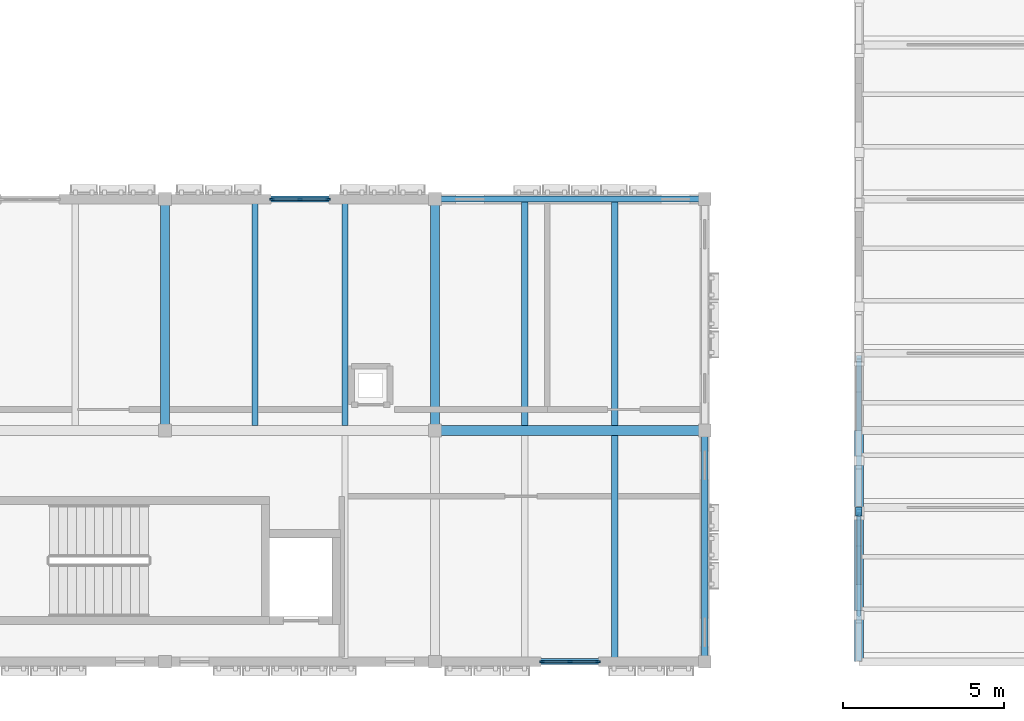
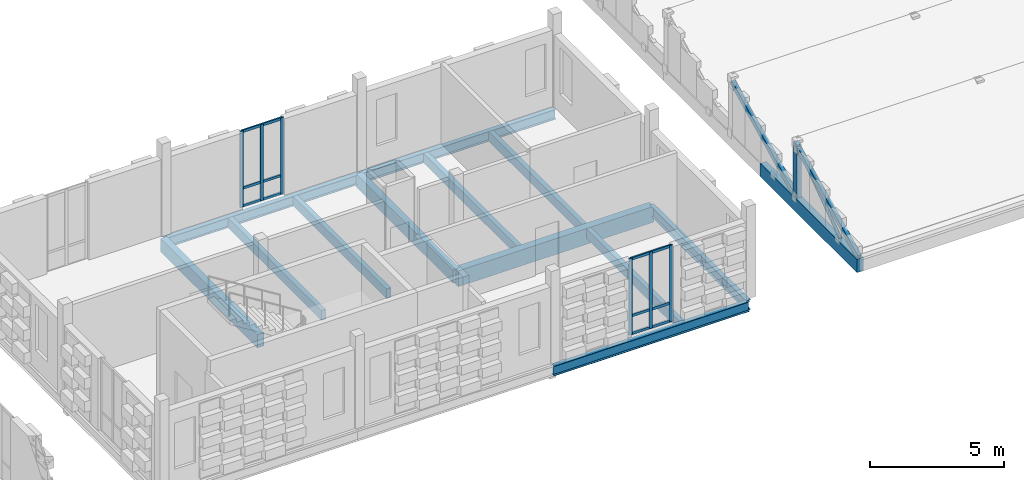
# One storey, part 16 of 81: 16 members, 13 beams, 2 elements without a shape of their own.
"""IFC4 building model written with IfcOpenShell, lengths in metres."""

from ifc_helpers import new_model, si_unit, direction, frame, origin, origin_2d, place, context, subcontext, project, spatial, rectangle, hollow_circle, i_section, extrude, material, material_profile, profile_set, type_object, element, aggregate, save


model = new_model("IFC4")

# Units and contexts
model_context = context("Model", 3, precision=1e-05, world=origin(), true_north=direction((0.0, 1.0)))
body_context = subcontext(model_context, "Body", "Model", "MODEL_VIEW")
ifc_project = project(units=[si_unit("LENGTHUNIT", "METRE"), si_unit("AREAUNIT", "SQUARE_METRE"), si_unit("VOLUMEUNIT", "CUBIC_METRE"), si_unit("PLANEANGLEUNIT", "RADIAN"), si_unit("MASSUNIT", "GRAM", prefix="KILO")], contexts=[model_context])

# Site, building, storey
site_placement = place(None, origin())
site = spatial("IfcSite", under=ifc_project, at=site_placement, CompositionType="ELEMENT")
building_placement = place(site_placement, origin())
building = spatial("IfcBuilding", under=site, at=building_placement, Name="Kahlenmark Community Centre", CompositionType="ELEMENT")
storey_placement = place(building_placement, frame((0.0, 0.0, 9.60009765625)))
storey = spatial("IfcBuildingStorey", under=building, at=storey_placement, Name="L02", CompositionType="ELEMENT", Elevation=9.60009765625)

# Beams
ifc_material_1 = material(Name="Glulam GL32h", Category="wood")
ifc_material_profile_1 = material_profile(ifc_material_1, rectangle(XDim=0.280029296875, YDim=0.60009765625, at=origin_2d()), Name="GL32h 280x600")
ifc_profile_set_1 = profile_set([ifc_material_profile_1], Name="Glulam GL32h")
beam_type_1 = type_object("IfcBeamType", Name="BT-BEAM-GL32h280x600", PredefinedType="BEAM", material=ifc_profile_set_1)
for number, where, z_axis, x_axis, name in (
    (1, (100.0, 16.0, -0.52001953125), (0.0, 1.0, 0.0), (-1.0, 0.0, 0.0), "L02 beam BG-GL32h280x600"),
    (2, (108.39990234375, 16.0, -0.52001953125), (0.0, 1.0, 0.0), (-1.0, 0.0, 0.0), "L02 beam BG-GL32h280x600"),
    (3, (121.60009765625, 8.800048828125, -0.300048828125), (0.0, 1.0, 0.0), (-1.0, 0.0, 0.0), "L02 beam BG-SAW600"),
):
    element("IfcBeam", number, at=place(storey_placement, frame(where, z_axis=z_axis, x_axis=x_axis)), inside=storey, type_object=beam_type_1, Name=name, PredefinedType="BEAM", context=body_context, shape_type="SweptSolid", body=[
        extrude(rectangle(XDim=0.280029296875, YDim=0.60009765625, at=origin_2d()), origin(), (0.0, 0.0, 1.0), 7.199951171875),
    ])
ifc_material_profile_2 = material_profile(ifc_material_1, rectangle(XDim=0.320068359375, YDim=0.719970703125, at=origin_2d()), Name="GL32h 320x720")
ifc_profile_set_2 = profile_set([ifc_material_profile_2], Name="Glulam GL32h")
beam_type_2 = type_object("IfcBeamType", Name="BT-BEAM-GL32h320x720", PredefinedType="BEAM", material=ifc_profile_set_2)
beam_1_placement = place(storey_placement, frame((108.39990234375, 16.0, -0.580078125), z_axis=(1.0, 0.0, 0.0), x_axis=(0.0, 1.0, 0.0)))
element("IfcBeam", 4, at=beam_1_placement, inside=storey, type_object=beam_type_2, Name="L02 beam BG-GL32h320x720", PredefinedType="BEAM", context=body_context, shape_type="SweptSolid", body=[
    extrude(rectangle(XDim=0.320068359375, YDim=0.719970703125, at=origin_2d()), origin(), (0.0, 0.0, 1.0), 8.400146484375),
])
ifc_material_2 = material(Name="Glulam GL28h", Category="wood")
ifc_material_profile_3 = material_profile(ifc_material_2, rectangle(XDim=0.199951171875, YDim=0.43994140625, at=origin_2d()), Name="GL28h 200x440")
ifc_profile_set_3 = profile_set([ifc_material_profile_3], Name="Glulam GL28h")
beam_type_3 = type_object("IfcBeamType", Name="BT-JOIST-GL28h200x440", PredefinedType="JOIST", material=ifc_profile_set_3)
for number, where, z_axis, x_axis, name in (
    (5, (102.800048828125, 16.157958984375, -0.440185546875), (0.0, 1.0, 0.0), (-1.0, 0.0, 0.0), "L02 joist BJ-GL28h200x440"),
    (6, (105.60009765625, 16.157958984375, -0.440185546875), (0.0, 1.0, 0.0), (-1.0, 0.0, 0.0), "L02 joist BJ-GL28h200x440"),
    (7, (114.0, 8.89306640625, -0.440185546875), (0.0, 1.0, 0.0), (-1.0, 0.0, 0.0), "L02 joist BJ-GL28h200x440"),
    (8, (111.199951171875, 16.157958984375, -0.440185546875), (0.0, 1.0, 0.0), (-1.0, 0.0, 0.0), "L02 joist BJ-GL28h200x440"),
    (9, (114.0, 16.157958984375, -0.440185546875), (0.0, 1.0, 0.0), (-1.0, 0.0, 0.0), "L02 joist BJ-GL28h200x440"),
):
    element("IfcBeam", number, at=place(storey_placement, frame(where, z_axis=z_axis, x_axis=x_axis)), inside=storey, type_object=beam_type_3, Name=name, PredefinedType="JOIST", context=body_context, shape_type="SweptSolid", body=[
        extrude(rectangle(XDim=0.199951171875, YDim=0.43994140625, at=origin_2d()), origin(), (0.0, 0.0, 1.0), 6.948974609375),
    ])
ifc_material_3 = material(Name="Steel S355", Category="steel")
ifc_material_profile_4 = material_profile(ifc_material_3, i_section(OverallWidth=0.18994140625, OverallDepth=0.449951171875, WebThickness=0.009521484375, FlangeThickness=0.0146484375, at=origin_2d()), Name="IPE 450")
ifc_profile_set_4 = profile_set([ifc_material_profile_4], Name="Steel S355")
beam_type_4 = type_object("IfcBeamType", Name="BT-SPANDREL-IPE450", PredefinedType="SPANDREL", material=ifc_profile_set_4)
beam_2_placement = place(storey_placement, frame((108.39990234375, 8.800048828125, -0.445068359375), z_axis=(1.0, 0.0, 0.0), x_axis=(0.0, 1.0, 0.0)))
element("IfcBeam", 10, at=beam_2_placement, inside=storey, type_object=beam_type_4, Name="L02 spandrel SP-IPE450", PredefinedType="SPANDREL", context=body_context, shape_type="SweptSolid", body=[
    extrude(i_section(OverallWidth=0.18994140625, OverallDepth=0.449951171875, WebThickness=0.009521484375, FlangeThickness=0.0146484375, at=origin_2d()), origin(), (0.0, 0.0, 1.0), 8.400146484375),
])
beam_3_placement = place(storey_placement, frame((100.0, 23.199951171875, -0.445068359375), z_axis=(1.0, 0.0, 0.0), x_axis=(0.0, 1.0, 0.0)))
element("IfcBeam", 11, at=beam_3_placement, inside=storey, type_object=beam_type_4, Name="L02 spandrel SP-IPE450", PredefinedType="SPANDREL", context=body_context, shape_type="SweptSolid", body=[
    extrude(i_section(OverallWidth=0.18994140625, OverallDepth=0.449951171875, WebThickness=0.009521484375, FlangeThickness=0.0146484375, at=origin_2d()), origin(), (0.0, 0.0, 1.0), 8.39990234375),
])
beam_4_placement = place(storey_placement, frame((108.39990234375, 23.199951171875, -0.445068359375), z_axis=(1.0, 0.0, 0.0), x_axis=(0.0, 1.0, 0.0)))
element("IfcBeam", 12, at=beam_4_placement, inside=storey, type_object=beam_type_4, Name="L02 spandrel SP-IPE450", PredefinedType="SPANDREL", context=body_context, shape_type="SweptSolid", body=[
    extrude(i_section(OverallWidth=0.18994140625, OverallDepth=0.449951171875, WebThickness=0.009521484375, FlangeThickness=0.0146484375, at=origin_2d()), origin(), (0.0, 0.0, 1.0), 8.400146484375),
])
beam_5_placement = place(storey_placement, frame((116.800048828125, 8.800048828125, -0.445068359375), z_axis=(0.0, 1.0, 0.0), x_axis=(-1.0, 0.0, 0.0)))
element("IfcBeam", 13, at=beam_5_placement, inside=storey, type_object=beam_type_4, Name="L02 spandrel SP-IPE450", PredefinedType="SPANDREL", context=body_context, shape_type="SweptSolid", body=[
    extrude(i_section(OverallWidth=0.18994140625, OverallDepth=0.449951171875, WebThickness=0.009521484375, FlangeThickness=0.0146484375, at=origin_2d()), origin(), (0.0, 0.0, 1.0), 7.199951171875),
])

# Member
ifc_material_profile_5 = material_profile(ifc_material_3, hollow_circle(Radius=0.06982421875, WallThickness=0.00634765625, at=origin_2d()), Name="CHS 139.7x6.3")
ifc_profile_set_5 = profile_set([ifc_material_profile_5], Name="Steel S355")
member_type_1 = type_object("IfcMemberType", Name="MT-BRACE-CHS139.7x6.3", PredefinedType="BRACE", material=ifc_profile_set_5)
member_1_placement = place(storey_placement, frame((121.60009765625, 13.360107421875, 2.219970703125), z_axis=(0.0, -0.816400900817, -0.577485557521), x_axis=(1.0, 0.0, 0.0)))
element("IfcMember", 14, at=member_1_placement, inside=storey, type_object=member_type_1, Name="L02 brace SAW-DIAG", PredefinedType="BRACE", context=body_context, shape_type="SweptSolid", body=[
    extrude(hollow_circle(Radius=0.06982421875, WallThickness=0.00634765625, at=origin_2d()), origin(), (0.0, 0.0, 1.0), 3.8095703125),
])

# Curtain wall, members
ifc_material_4 = material(Name="Anodised aluminium unitised curtain wall", Category="aluminium")
curtain_wall_type = type_object("IfcCurtainWallType", Name="CWT-UNIT-180X347", PredefinedType="USERDEFINED", material=ifc_material_4)
curtain_wall_1_placement = place(storey_placement, origin())
curtain_wall_1 = element("IfcCurtainWall", 15, at=curtain_wall_1_placement, inside=storey, type_object=curtain_wall_type, Name="Unitised curtain wall CW-101", ObjectType="UNITISED CURTAIN WALL", PredefinedType="USERDEFINED")
ifc_material_5 = material(Name="Anodised aluminium 6063-T6", Category="aluminium")
ifc_material_profile_6 = material_profile(ifc_material_5, rectangle(XDim=0.06005859375, YDim=0.139892578125, at=origin_2d()), Name="ALU MULLION 60x140")
ifc_profile_set_6 = profile_set([ifc_material_profile_6], Name="Anodised aluminium 6063-T6")
member_type_2 = type_object("IfcMemberType", Name="MT-MUL-140", PredefinedType="MULLION", material=ifc_profile_set_6)
member_2_placement = place(storey_placement, frame((111.72998046875, 8.800048828125, 0.0), z_axis=(0.0, 0.0, 1.0), x_axis=(0.0, 1.0, 0.0)))
member_2 = element("IfcMember", 16, at=member_2_placement, type_object=member_type_2, Name="CW-101 mullion 1", PredefinedType="MULLION", context=body_context, shape_type="SweptSolid", body=[
    extrude(rectangle(XDim=0.06005859375, YDim=0.139892578125, at=origin_2d()), origin(), (0.0, 0.0, 1.0), 3.469970703125),
])
member_3_placement = place(storey_placement, frame((112.60009765625, 8.800048828125, 0.0), z_axis=(0.0, 0.0, 1.0), x_axis=(0.0, 1.0, 0.0)))
member_3 = element("IfcMember", 17, at=member_3_placement, type_object=member_type_2, Name="CW-101 mullion 2", PredefinedType="MULLION", context=body_context, shape_type="SweptSolid", body=[
    extrude(rectangle(XDim=0.06005859375, YDim=0.139892578125, at=origin_2d()), origin(), (0.0, 0.0, 1.0), 3.469970703125),
])
member_4_placement = place(storey_placement, frame((113.469970703125, 8.800048828125, 0.0), z_axis=(0.0, 0.0, 1.0), x_axis=(0.0, 1.0, 0.0)))
member_4 = element("IfcMember", 18, at=member_4_placement, type_object=member_type_2, Name="CW-101 mullion 3", PredefinedType="MULLION", context=body_context, shape_type="SweptSolid", body=[
    extrude(rectangle(XDim=0.06005859375, YDim=0.139892578125, at=origin_2d()), origin(), (0.0, 0.0, 1.0), 3.469970703125),
])

curtain_wall_2_placement = place(storey_placement, origin())
curtain_wall_2 = element("IfcCurtainWall", 19, at=curtain_wall_2_placement, inside=storey, type_object=curtain_wall_type, Name="Unitised curtain wall CW-103", ObjectType="UNITISED CURTAIN WALL", PredefinedType="USERDEFINED")
member_5_placement = place(storey_placement, frame((105.070068359375, 23.199951171875, 0.0), z_axis=(0.0, 0.0, 1.0), x_axis=(0.0, -1.0, 0.0)))
member_5 = element("IfcMember", 20, at=member_5_placement, type_object=member_type_2, Name="CW-103 mullion 1", PredefinedType="MULLION", context=body_context, shape_type="SweptSolid", body=[
    extrude(rectangle(XDim=0.06005859375, YDim=0.139892578125, at=origin_2d()), origin(), (0.0, 0.0, 1.0), 3.469970703125),
])
member_6_placement = place(storey_placement, frame((104.199951171875, 23.199951171875, 0.0), z_axis=(0.0, 0.0, 1.0), x_axis=(0.0, -1.0, 0.0)))
member_6 = element("IfcMember", 21, at=member_6_placement, type_object=member_type_2, Name="CW-103 mullion 2", PredefinedType="MULLION", context=body_context, shape_type="SweptSolid", body=[
    extrude(rectangle(XDim=0.06005859375, YDim=0.139892578125, at=origin_2d()), origin(), (0.0, 0.0, 1.0), 3.469970703125),
])
member_7_placement = place(storey_placement, frame((103.330078125, 23.199951171875, 0.0), z_axis=(0.0, 0.0, 1.0), x_axis=(0.0, -1.0, 0.0)))
member_7 = element("IfcMember", 22, at=member_7_placement, type_object=member_type_2, Name="CW-103 mullion 3", PredefinedType="MULLION", context=body_context, shape_type="SweptSolid", body=[
    extrude(rectangle(XDim=0.06005859375, YDim=0.139892578125, at=origin_2d()), origin(), (0.0, 0.0, 1.0), 3.469970703125),
])

# Members
ifc_material_profile_7 = material_profile(ifc_material_2, rectangle(XDim=0.159912109375, YDim=0.239990234375, at=origin_2d()), Name="GL28h 160x240")
ifc_profile_set_7 = profile_set([ifc_material_profile_7], Name="Glulam GL28h")
member_type_3 = type_object("IfcMemberType", Name="MT-RAFTER-GL28h160x240", PredefinedType="RAFTER", material=ifc_profile_set_7)
for number, where, z_axis, x_axis, name in (
    (23, (121.60009765625, 8.8798828125, 0.02001953125), (0.0, 0.897549034846, 0.440914651658), (-1.0, 0.0, 0.0), "L02 rafter SAW-RAF"),
    (24, (121.60009765625, 13.679931640625, 0.02001953125), (0.0, 0.897549034846, 0.440914651658), (-1.0, 0.0, 0.0), "L02 rafter SAW-RAF"),
):
    element("IfcMember", number, at=place(storey_placement, frame(where, z_axis=z_axis, x_axis=x_axis)), inside=storey, type_object=member_type_3, Name=name, PredefinedType="RAFTER", context=body_context, shape_type="SweptSolid", body=[
        extrude(rectangle(XDim=0.159912109375, YDim=0.239990234375, at=origin_2d()), origin(), (0.0, 0.0, 1.0), 5.125244140625),
    ])
ifc_material_profile_8 = material_profile(ifc_material_2, rectangle(XDim=0.199951171875, YDim=0.280029296875, at=origin_2d()), Name="GL28h 200x280")
ifc_profile_set_8 = profile_set([ifc_material_profile_8], Name="Glulam GL28h")
member_type_4 = type_object("IfcMemberType", Name="MT-STRUT-GL28h200x280", PredefinedType="STRUT", material=ifc_profile_set_8)
member_8_placement = place(storey_placement, frame((121.60009765625, 13.47998046875, 0.0), z_axis=(0.0, 0.0, 1.0), x_axis=(1.0, 0.0, 0.0)))
element("IfcMember", 25, at=member_8_placement, inside=storey, type_object=member_type_4, Name="L02 strut SAW-POST", PredefinedType="STRUT", context=body_context, shape_type="SweptSolid", body=[
    extrude(rectangle(XDim=0.199951171875, YDim=0.280029296875, at=origin_2d()), origin(), (0.0, 0.0, 1.0), 2.419921875),
])

# Member
ifc_material_profile_9 = material_profile(ifc_material_5, rectangle(XDim=0.06005859375, YDim=0.1201171875, at=origin_2d()), Name="ALU TRANSOM 60x120")
ifc_profile_set_9 = profile_set([ifc_material_profile_9], Name="Anodised aluminium 6063-T6")
member_type_5 = type_object("IfcMemberType", Name="MT-TRN-120", PredefinedType="USERDEFINED", material=ifc_profile_set_9)
member_9_placement = place(storey_placement, frame((111.72998046875, 8.800048828125, 0.039794921875), z_axis=(1.0, 0.0, 0.0), x_axis=(0.0, 1.0, 0.0)))
member_9 = element("IfcMember", 26, at=member_9_placement, type_object=member_type_5, Name="CW-101 transom 1", ObjectType="TRANSOM", PredefinedType="USERDEFINED", context=body_context, shape_type="SweptSolid", body=[
    extrude(rectangle(XDim=0.06005859375, YDim=0.1201171875, at=origin_2d()), origin(), (0.0, 0.0, 1.0), 1.739990234375),
])

member_10_placement = place(storey_placement, frame((111.72998046875, 8.800048828125, 0.849853515625), z_axis=(1.0, 0.0, 0.0), x_axis=(0.0, 1.0, 0.0)))
member_10 = element("IfcMember", 27, at=member_10_placement, type_object=member_type_5, Name="CW-101 transom 2", ObjectType="TRANSOM", PredefinedType="USERDEFINED", context=body_context, shape_type="SweptSolid", body=[
    extrude(rectangle(XDim=0.06005859375, YDim=0.1201171875, at=origin_2d()), origin(), (0.0, 0.0, 1.0), 1.739990234375),
])

member_11_placement = place(storey_placement, frame((111.72998046875, 8.800048828125, 3.429931640625), z_axis=(1.0, 0.0, 0.0), x_axis=(0.0, 1.0, 0.0)))
member_11 = element("IfcMember", 28, at=member_11_placement, type_object=member_type_5, Name="CW-101 transom 3", ObjectType="TRANSOM", PredefinedType="USERDEFINED", context=body_context, shape_type="SweptSolid", body=[
    extrude(rectangle(XDim=0.06005859375, YDim=0.1201171875, at=origin_2d()), origin(), (0.0, 0.0, 1.0), 1.739990234375),
])

aggregate(curtain_wall_1, [member_2, member_3, member_4, member_9, member_10, member_11])

member_12_placement = place(storey_placement, frame((105.070068359375, 23.199951171875, 0.039794921875), z_axis=(-1.0, 0.0, 0.0), x_axis=(0.0, -1.0, 0.0)))
member_12 = element("IfcMember", 29, at=member_12_placement, type_object=member_type_5, Name="CW-103 transom 1", ObjectType="TRANSOM", PredefinedType="USERDEFINED", context=body_context, shape_type="SweptSolid", body=[
    extrude(rectangle(XDim=0.06005859375, YDim=0.1201171875, at=origin_2d()), origin(), (0.0, 0.0, 1.0), 1.739990234375),
])

member_13_placement = place(storey_placement, frame((105.070068359375, 23.199951171875, 0.849853515625), z_axis=(-1.0, 0.0, 0.0), x_axis=(0.0, -1.0, 0.0)))
member_13 = element("IfcMember", 30, at=member_13_placement, type_object=member_type_5, Name="CW-103 transom 2", ObjectType="TRANSOM", PredefinedType="USERDEFINED", context=body_context, shape_type="SweptSolid", body=[
    extrude(rectangle(XDim=0.06005859375, YDim=0.1201171875, at=origin_2d()), origin(), (0.0, 0.0, 1.0), 1.739990234375),
])

member_14_placement = place(storey_placement, frame((105.070068359375, 23.199951171875, 3.429931640625), z_axis=(-1.0, 0.0, 0.0), x_axis=(0.0, -1.0, 0.0)))
member_14 = element("IfcMember", 31, at=member_14_placement, type_object=member_type_5, Name="CW-103 transom 3", ObjectType="TRANSOM", PredefinedType="USERDEFINED", context=body_context, shape_type="SweptSolid", body=[
    extrude(rectangle(XDim=0.06005859375, YDim=0.1201171875, at=origin_2d()), origin(), (0.0, 0.0, 1.0), 1.739990234375),
])

aggregate(curtain_wall_2, [member_5, member_6, member_7, member_12, member_13, member_14])

save(model, "model.ifc")
